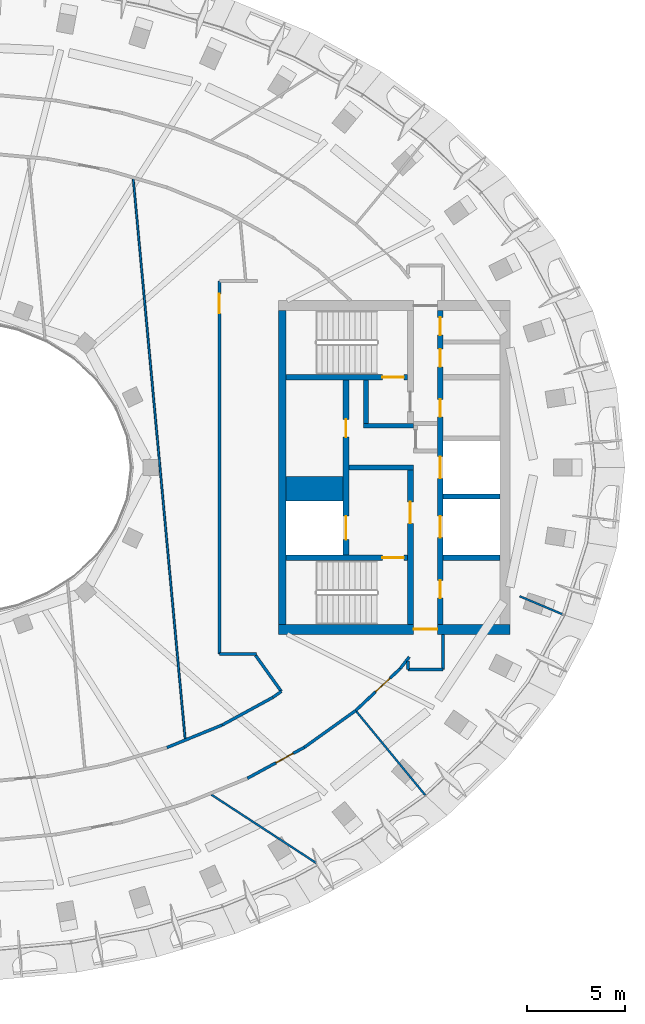
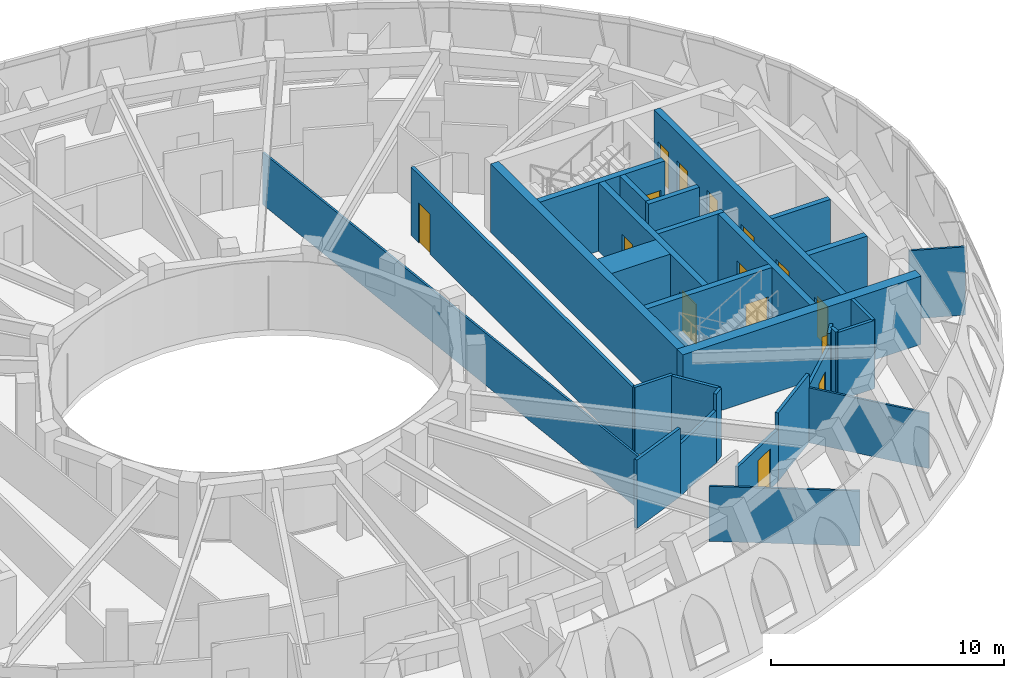
# One storey, part 5 of 14: 30 walls, 15 doors, 15 openings.
"""IFC4 building model written with IfcOpenShell, lengths in metres."""

from ifc_helpers import new_model, si_unit, direction, frame, frame_2d, origin, place, context, subcontext, project, spatial, rectangle, extrude, material, layer, layer_set, type_object, element, fill, save


model = new_model("IFC4")

# Units and contexts
model_context = context("Model", 3, precision=1e-05, world=origin(), true_north=direction((0.0, 1.0)))
body_context = subcontext(model_context, "Body", "Model", "MODEL_VIEW")
ifc_project = project(units=[si_unit("LENGTHUNIT", "METRE"), si_unit("AREAUNIT", "SQUARE_METRE"), si_unit("VOLUMEUNIT", "CUBIC_METRE"), si_unit("PLANEANGLEUNIT", "RADIAN"), si_unit("MASSUNIT", "GRAM", prefix="KILO")], contexts=[model_context])

# Site, building, storey
site_placement = place(None, origin())
site = spatial("IfcSite", under=ifc_project, at=site_placement, CompositionType="ELEMENT")
building_placement = place(site_placement, origin())
building = spatial("IfcBuilding", under=site, at=building_placement, Name="Noorbagh Ring Tower", CompositionType="ELEMENT")
storey_placement = place(building_placement, frame((0.0, 0.0, 343.0)))
storey = spatial("IfcBuildingStorey", under=building, at=storey_placement, Name="L75", CompositionType="ELEMENT", Elevation=343.0)

# Walls
ifc_material_1 = material(Name="Concrete C50/60", Category="concrete")
ifc_layer_1 = layer(ifc_material_1, 1.25)
ifc_layer_set_1 = layer_set([ifc_layer_1], Name="Concrete C50/60")
wall_type_1 = type_object("IfcWallType", Name="CORE-WALL-1250-C50-60-EI120", PredefinedType="SHEAR", material=ifc_layer_set_1)
wall_1_placement = place(storey_placement, frame((16.89990234375, -1.074951171875, 0.0), z_axis=(0.0, 0.0, 1.0), x_axis=(1.0, 0.0, 0.0)))
element("IfcWall", 1, at=wall_1_placement, inside=storey, type_object=wall_type_1, Name="Core wall E", PredefinedType="SHEAR", context=body_context, shape_type="SweptSolid", body=[
    extrude(rectangle(XDim=2.900146484375, YDim=1.25, at=frame_2d((1.4501953125, 0.0))), origin(), (0.0, 0.0, 1.0), 3.580078125),
])
ifc_material_2 = material(Name="Concrete C50/60", Category="concrete")
ifc_layer_2 = layer(ifc_material_2, 0.25)
ifc_layer_set_2 = layer_set([ifc_layer_2], Name="Concrete C50/60")
wall_type_2 = type_object("IfcWallType", Name="CORE-WALL-250-C50-60-EI120", PredefinedType="SHEAR", material=ifc_layer_set_2)
wall_2_placement = place(storey_placement, frame((24.89990234375, -1.47509765625, 0.0), z_axis=(0.0, 0.0, 1.0), x_axis=(1.0, 0.0, 0.0)))
element("IfcWall", 2, at=wall_2_placement, inside=storey, type_object=wall_type_2, Name="Core wall E", PredefinedType="SHEAR", context=body_context, shape_type="SweptSolid", body=[
    extrude(rectangle(XDim=2.900146484375, YDim=0.25, at=frame_2d((1.4501953125, 0.0))), origin(), (0.0, 0.0, 1.0), 3.580078125),
])
ifc_material_3 = material(Name="Concrete C50/60", Category="concrete")
ifc_layer_3 = layer(ifc_material_3, 0.25)
ifc_layer_set_3 = layer_set([ifc_layer_3], Name="Concrete C50/60")
wall_type_3 = type_object("IfcWallType", Name="CORE-WALL-250-C50-60-EI240", PredefinedType="SHEAR", material=ifc_layer_set_3)
wall_3_placement = place(storey_placement, frame((20.10009765625, 0.0, 0.0), z_axis=(0.0, 0.0, 1.0), x_axis=(1.0, 0.0, 0.0)))
element("IfcWall", 3, at=wall_3_placement, inside=storey, type_object=wall_type_3, Name="Core wall E", PredefinedType="SHEAR", context=body_context, shape_type="SweptSolid", body=[
    extrude(rectangle(XDim=3.27978515625, YDim=0.25, at=frame_2d((1.639892578125, 0.0))), origin(), (0.0, 0.0, 1.0), 3.580078125),
])
wall_4_placement = place(storey_placement, frame((20.85009765625, 2.125, 0.0), z_axis=(0.0, 0.0, 1.0), x_axis=(1.0, 0.0, 0.0)))
element("IfcWall", 4, at=wall_4_placement, inside=storey, type_object=wall_type_3, Name="Core wall E", PredefinedType="SHEAR", context=body_context, shape_type="SweptSolid", body=[
    extrude(rectangle(XDim=2.52978515625, YDim=0.25, at=frame_2d((1.264892578125, 0.0))), origin(), (0.0, 0.0, 1.0), 3.580078125),
])
wall_5_placement = place(storey_placement, frame((20.97509765625, 2.25, 0.0), z_axis=(0.0, 0.0, 1.0), x_axis=(0.0, 1.0, 0.0)))
element("IfcWall", 5, at=wall_5_placement, inside=storey, type_object=wall_type_3, Name="Core wall E", PredefinedType="SHEAR", context=body_context, shape_type="SweptSolid", body=[
    extrude(rectangle(XDim=2.199951171875, YDim=0.25, at=frame_2d((1.10009765625, 0.0))), origin(), (0.0, 0.0, 1.0), 3.580078125),
])

# Wall, openings, doors
ifc_material_4 = material(Name="Concrete C50/60", Category="concrete")
ifc_layer_4 = layer(ifc_material_4, 0.300048828125)
ifc_layer_set_4 = layer_set([ifc_layer_4], Name="Concrete C50/60")
wall_type_4 = type_object("IfcWallType", Name="CORE-WALL-300-C50-60-EI120", PredefinedType="SHEAR", material=ifc_layer_set_4)
wall_6_placement = place(storey_placement, frame((19.949951171875, -4.449951171875, 0.0), z_axis=(0.0, 0.0, 1.0), x_axis=(0.0, 1.0, 0.0)))
wall_6 = element("IfcWall", 6, at=wall_6_placement, inside=storey, type_object=wall_type_4, Name="Core wall E", PredefinedType="SHEAR", context=body_context, shape_type="SweptSolid", body=[
    extrude(rectangle(XDim=8.89990234375, YDim=0.300048828125, at=frame_2d((4.449951171875, 0.0))), origin(), (0.0, 0.0, 1.0), 3.580078125),
])
opening_1_placement = place(wall_6_placement, frame((0.77490234375, 0.0, 0.0)))
opening_1 = element("IfcOpeningElement", 7, at=opening_1_placement, cuts=wall_6, Name="Opening L75-CE01", PredefinedType="OPENING", context=body_context, shape_type="SweptSolid", body=[
    extrude(rectangle(XDim=1.199951171875, YDim=2.10009765625, at=frame_2d((0.60009765625, 1.050048828125))), frame((0.0, 0.16015625, 0.0), z_axis=(0.0, -1.0, 0.0), x_axis=(1.0, 0.0, 0.0)), (0.0, 0.0, 1.0), 0.320068359375),
])
opening_2_placement = place(wall_6_placement, frame((6.0, 0.0, 0.0)))
opening_2 = element("IfcOpeningElement", 8, at=opening_2_placement, cuts=wall_6, Name="Opening L75-CE10", PredefinedType="OPENING", context=body_context, shape_type="SweptSolid", body=[
    extrude(rectangle(XDim=0.89990234375, YDim=2.10009765625, at=frame_2d((0.449951171875, 1.050048828125))), frame((0.0, 0.16015625, 0.0), z_axis=(0.0, -1.0, 0.0), x_axis=(1.0, 0.0, 0.0)), (0.0, 0.0, 1.0), 0.320068359375),
])
ifc_material_5 = material(Name="Steel door leaf", Category="steel")
door_type_1 = type_object("IfcDoorType", Name="CORE-DOOR-DROOM", OperationType="SINGLE_SWING_LEFT", PredefinedType="DOOR", material=ifc_material_5)
door_1_placement = place(opening_2_placement, origin())
door_1 = element("IfcDoor", 9, at=door_1_placement, inside=storey, type_object=door_type_1, Name="Core room door L75-CE10", OperationType="SINGLE_SWING_RIGHT", OverallHeight=2.10009765625, OverallWidth=0.89990234375, PredefinedType="DOOR", context=body_context, shape_type="SweptSolid", body=[
    extrude(rectangle(XDim=0.89990234375, YDim=2.10009765625, at=frame_2d((0.449951171875, 1.050048828125))), frame((0.0, 0.02490234375, 0.0), z_axis=(0.0, -1.0, 0.0), x_axis=(1.0, 0.0, 0.0)), (0.0, 0.0, 1.0), 0.050048828125),
])
fill(opening_2, door_1)
ifc_material_6 = material(Name="Steel door leaf", Category="steel")
door_type_2 = type_object("IfcDoorType", Name="CORE-DOOR-LDW", OperationType="DOUBLE_DOOR_SLIDING", PredefinedType="DOOR", material=ifc_material_6)
door_2_placement = place(opening_1_placement, origin())
door_2 = element("IfcDoor", 10, at=door_2_placement, inside=storey, type_object=door_type_2, Name="Landing door FF2 L75-CE01", OperationType="DOUBLE_DOOR_SLIDING", OverallHeight=2.10009765625, OverallWidth=1.199951171875, PredefinedType="DOOR", context=body_context, shape_type="SweptSolid", body=[
    extrude(rectangle(XDim=1.199951171875, YDim=2.10009765625, at=frame_2d((0.60009765625, 1.050048828125))), frame((0.0, 0.02490234375, 0.0), z_axis=(0.0, -1.0, 0.0), x_axis=(1.0, 0.0, 0.0)), (0.0, 0.0, 1.0), 0.050048828125),
])
fill(opening_1, door_2)

wall_7_placement = place(storey_placement, frame((24.75, -8.0, 0.0), z_axis=(0.0, 0.0, 1.0), x_axis=(0.0, 1.0, 0.0)))
wall_7 = element("IfcWall", 11, at=wall_7_placement, inside=storey, type_object=wall_type_4, Name="Core wall E", PredefinedType="SHEAR", context=body_context, shape_type="SweptSolid", body=[
    extrude(rectangle(XDim=16.0, YDim=0.300048828125, at=frame_2d((8.0, 0.0))), origin(), (0.0, 0.0, 1.0), 3.580078125),
])
opening_3_placement = place(wall_7_placement, frame((4.425048828125, 0.0, 0.0)))
opening_3 = element("IfcOpeningElement", 12, at=opening_3_placement, cuts=wall_7, Name="Opening L75-CE02", PredefinedType="OPENING", context=body_context, shape_type="SweptSolid", body=[
    extrude(rectangle(XDim=1.10009765625, YDim=2.10009765625, at=frame_2d((0.550048828125, 1.050048828125))), frame((0.0, 0.16015625, 0.0), z_axis=(0.0, -1.0, 0.0), x_axis=(1.0, 0.0, 0.0)), (0.0, 0.0, 1.0), 0.320068359375),
])
opening_4_placement = place(wall_7_placement, frame((7.449951171875, 0.0, 0.0)))
opening_4 = element("IfcOpeningElement", 13, at=opening_4_placement, cuts=wall_7, Name="Opening L75-CE03", PredefinedType="OPENING", context=body_context, shape_type="SweptSolid", body=[
    extrude(rectangle(XDim=1.10009765625, YDim=2.10009765625, at=frame_2d((0.550048828125, 1.050048828125))), frame((0.0, 0.16015625, 0.0), z_axis=(0.0, -1.0, 0.0), x_axis=(1.0, 0.0, 0.0)), (0.0, 0.0, 1.0), 0.320068359375),
])
opening_5_placement = place(wall_7_placement, frame((10.574951171875, 0.0, 0.0)))
opening_5 = element("IfcOpeningElement", 14, at=opening_5_placement, cuts=wall_7, Name="Opening L75-CE11", PredefinedType="OPENING", context=body_context, shape_type="SweptSolid", body=[
    extrude(rectangle(XDim=0.89990234375, YDim=2.10009765625, at=frame_2d((0.449951171875, 1.050048828125))), frame((0.0, 0.16015625, 0.0), z_axis=(0.0, -1.0, 0.0), x_axis=(1.0, 0.0, 0.0)), (0.0, 0.0, 1.0), 0.320068359375),
])
opening_6_placement = place(wall_7_placement, frame((13.125, 0.0, 0.0)))
opening_6 = element("IfcOpeningElement", 15, at=opening_6_placement, cuts=wall_7, Name="Opening L75-CE12", PredefinedType="OPENING", context=body_context, shape_type="SweptSolid", body=[
    extrude(rectangle(XDim=0.89990234375, YDim=2.10009765625, at=frame_2d((0.449951171875, 1.050048828125))), frame((0.0, 0.16015625, 0.0), z_axis=(0.0, -1.0, 0.0), x_axis=(1.0, 0.0, 0.0)), (0.0, 0.0, 1.0), 0.320068359375),
])
opening_7_placement = place(wall_7_placement, frame((14.75, 0.0, 0.0)))
opening_7 = element("IfcOpeningElement", 16, at=opening_7_placement, cuts=wall_7, Name="Opening L75-CE13", PredefinedType="OPENING", context=body_context, shape_type="SweptSolid", body=[
    extrude(rectangle(XDim=0.89990234375, YDim=2.10009765625, at=frame_2d((0.449951171875, 1.050048828125))), frame((0.0, 0.16015625, 0.0), z_axis=(0.0, -1.0, 0.0), x_axis=(1.0, 0.0, 0.0)), (0.0, 0.0, 1.0), 0.320068359375),
])
opening_8_placement = place(wall_7_placement, frame((1.35009765625, 0.0, 0.0)))
opening_8 = element("IfcOpeningElement", 17, at=opening_8_placement, cuts=wall_7, Name="Opening L75-CE14", PredefinedType="OPENING", context=body_context, shape_type="SweptSolid", body=[
    extrude(rectangle(XDim=0.89990234375, YDim=2.10009765625, at=frame_2d((0.449951171875, 1.050048828125))), frame((0.0, 0.16015625, 0.0), z_axis=(0.0, -1.0, 0.0), x_axis=(1.0, 0.0, 0.0)), (0.0, 0.0, 1.0), 0.320068359375),
])
door_3_placement = place(opening_5_placement, origin())
door_3 = element("IfcDoor", 18, at=door_3_placement, inside=storey, type_object=door_type_1, Name="Core room door L75-CE11", OperationType="SINGLE_SWING_LEFT", OverallHeight=2.10009765625, OverallWidth=0.89990234375, PredefinedType="DOOR", context=body_context, shape_type="SweptSolid", body=[
    extrude(rectangle(XDim=0.89990234375, YDim=2.10009765625, at=frame_2d((0.449951171875, 1.050048828125))), frame((0.0, 0.02490234375, 0.0), z_axis=(0.0, -1.0, 0.0), x_axis=(1.0, 0.0, 0.0)), (0.0, 0.0, 1.0), 0.050048828125),
])
fill(opening_5, door_3)
door_4_placement = place(opening_6_placement, origin())
door_4 = element("IfcDoor", 19, at=door_4_placement, inside=storey, type_object=door_type_1, Name="Core room door L75-CE12", OperationType="SINGLE_SWING_RIGHT", OverallHeight=2.10009765625, OverallWidth=0.89990234375, PredefinedType="DOOR", context=body_context, shape_type="SweptSolid", body=[
    extrude(rectangle(XDim=0.89990234375, YDim=2.10009765625, at=frame_2d((0.449951171875, 1.050048828125))), frame((0.0, 0.02490234375, 0.0), z_axis=(0.0, -1.0, 0.0), x_axis=(1.0, 0.0, 0.0)), (0.0, 0.0, 1.0), 0.050048828125),
])
fill(opening_6, door_4)
door_5_placement = place(opening_7_placement, origin())
door_5 = element("IfcDoor", 20, at=door_5_placement, inside=storey, type_object=door_type_1, Name="Core room door L75-CE13", OperationType="SINGLE_SWING_LEFT", OverallHeight=2.10009765625, OverallWidth=0.89990234375, PredefinedType="DOOR", context=body_context, shape_type="SweptSolid", body=[
    extrude(rectangle(XDim=0.89990234375, YDim=2.10009765625, at=frame_2d((0.449951171875, 1.050048828125))), frame((0.0, 0.02490234375, 0.0), z_axis=(0.0, -1.0, 0.0), x_axis=(1.0, 0.0, 0.0)), (0.0, 0.0, 1.0), 0.050048828125),
])
fill(opening_7, door_5)
door_6_placement = place(opening_8_placement, origin())
door_6 = element("IfcDoor", 21, at=door_6_placement, inside=storey, type_object=door_type_1, Name="Core room door L75-CE14", OperationType="SINGLE_SWING_RIGHT", OverallHeight=2.10009765625, OverallWidth=0.89990234375, PredefinedType="DOOR", context=body_context, shape_type="SweptSolid", body=[
    extrude(rectangle(XDim=0.89990234375, YDim=2.10009765625, at=frame_2d((0.449951171875, 1.050048828125))), frame((0.0, 0.02490234375, 0.0), z_axis=(0.0, -1.0, 0.0), x_axis=(1.0, 0.0, 0.0)), (0.0, 0.0, 1.0), 0.050048828125),
])
fill(opening_8, door_6)
ifc_material_7 = material(Name="Steel door leaf", Category="steel")
door_type_3 = type_object("IfcDoorType", Name="CORE-DOOR-LD", OperationType="DOUBLE_DOOR_SLIDING", PredefinedType="DOOR", material=ifc_material_7)
door_7_placement = place(opening_3_placement, origin())
door_7 = element("IfcDoor", 22, at=door_7_placement, inside=storey, type_object=door_type_3, Name="Landing door HR12 L75-CE02", OperationType="DOUBLE_DOOR_SLIDING", OverallHeight=2.10009765625, OverallWidth=1.10009765625, PredefinedType="DOOR", context=body_context, shape_type="SweptSolid", body=[
    extrude(rectangle(XDim=1.10009765625, YDim=2.10009765625, at=frame_2d((0.550048828125, 1.050048828125))), frame((0.0, 0.02490234375, 0.0), z_axis=(0.0, -1.0, 0.0), x_axis=(1.0, 0.0, 0.0)), (0.0, 0.0, 1.0), 0.050048828125),
])
fill(opening_3, door_7)
door_8_placement = place(opening_4_placement, origin())
door_8 = element("IfcDoor", 23, at=door_8_placement, inside=storey, type_object=door_type_3, Name="Landing door HR13 L75-CE03", OperationType="DOUBLE_DOOR_SLIDING", OverallHeight=2.10009765625, OverallWidth=1.10009765625, PredefinedType="DOOR", context=body_context, shape_type="SweptSolid", body=[
    extrude(rectangle(XDim=1.10009765625, YDim=2.10009765625, at=frame_2d((0.550048828125, 1.050048828125))), frame((0.0, 0.02490234375, 0.0), z_axis=(0.0, -1.0, 0.0), x_axis=(1.0, 0.0, 0.0)), (0.0, 0.0, 1.0), 0.050048828125),
])
fill(opening_4, door_8)

# Wall
ifc_material_8 = material(Name="Concrete C50/60", Category="concrete")
ifc_layer_5 = layer(ifc_material_8, 0.300048828125)
ifc_layer_set_5 = layer_set([ifc_layer_5], Name="Concrete C50/60")
wall_type_5 = type_object("IfcWallType", Name="CORE-WALL-300-C50-60-EI240", PredefinedType="SHEAR", material=ifc_layer_set_5)
wall_8_placement = place(storey_placement, frame((24.89990234375, -4.60009765625, 0.0), z_axis=(0.0, 0.0, 1.0), x_axis=(1.0, 0.0, 0.0)))
element("IfcWall", 24, at=wall_8_placement, inside=storey, type_object=wall_type_5, Name="Core wall E", PredefinedType="SHEAR", context=body_context, shape_type="SweptSolid", body=[
    extrude(rectangle(XDim=2.900146484375, YDim=0.300048828125, at=frame_2d((1.4501953125, 0.0))), origin(), (0.0, 0.0, 1.0), 3.580078125),
])

# Wall, opening, door
wall_9_placement = place(storey_placement, frame((23.22998046875, -8.0, 0.0), z_axis=(0.0, 0.0, 1.0), x_axis=(0.0, 1.0, 0.0)))
wall_9 = element("IfcWall", 25, at=wall_9_placement, inside=storey, type_object=wall_type_5, Name="Core wall E", PredefinedType="SHEAR", context=body_context, shape_type="SweptSolid", body=[
    extrude(rectangle(XDim=7.875, YDim=0.300048828125, at=frame_2d((3.9375, 0.0))), origin(), (0.0, 0.0, 1.0), 3.580078125),
])
opening_9_placement = place(wall_9_placement, frame((5.14990234375, 0.0, 0.0)))
opening_9 = element("IfcOpeningElement", 26, at=opening_9_placement, cuts=wall_9, Name="Opening L75-CE06", PredefinedType="OPENING", context=body_context, shape_type="SweptSolid", body=[
    extrude(rectangle(XDim=1.10009765625, YDim=2.10009765625, at=frame_2d((0.550048828125, 1.050048828125))), frame((0.0, 0.16015625, 0.0), z_axis=(0.0, -1.0, 0.0), x_axis=(1.0, 0.0, 0.0)), (0.0, 0.0, 1.0), 0.320068359375),
])
ifc_material_9 = material(Name="Steel door leaf", Category="steel")
door_type_4 = type_object("IfcDoorType", Name="CORE-DOOR-DFF", OperationType="SINGLE_SWING_LEFT", PredefinedType="DOOR", material=ifc_material_9)
door_9_placement = place(opening_9_placement, origin())
door_9 = element("IfcDoor", 27, at=door_9_placement, inside=storey, type_object=door_type_4, Name="Firefighting lobby door L75-CE06", OperationType="SINGLE_SWING_RIGHT", OverallHeight=2.10009765625, OverallWidth=1.10009765625, PredefinedType="DOOR", context=body_context, shape_type="SweptSolid", body=[
    extrude(rectangle(XDim=1.10009765625, YDim=2.10009765625, at=frame_2d((0.550048828125, 1.050048828125))), frame((0.0, 0.02490234375, 0.0), z_axis=(0.0, -1.0, 0.0), x_axis=(1.0, 0.0, 0.0)), (0.0, 0.0, 1.0), 0.050048828125),
])
fill(opening_9, door_9)

wall_10_placement = place(storey_placement, frame((16.89990234375, 4.60009765625, 0.0), z_axis=(0.0, 0.0, 1.0), x_axis=(1.0, 0.0, 0.0)))
wall_10 = element("IfcWall", 28, at=wall_10_placement, inside=storey, type_object=wall_type_5, Name="Core wall E", PredefinedType="SHEAR", context=body_context, shape_type="SweptSolid", body=[
    extrude(rectangle(XDim=6.18017578125, YDim=0.300048828125, at=frame_2d((3.090087890625, 0.0))), origin(), (0.0, 0.0, 1.0), 3.580078125),
])
opening_10_placement = place(wall_10_placement, frame((4.89990234375, 0.0, 0.0)))
opening_10 = element("IfcOpeningElement", 29, at=opening_10_placement, cuts=wall_10, Name="Opening L75-CE04", PredefinedType="OPENING", context=body_context, shape_type="SweptSolid", body=[
    extrude(rectangle(XDim=1.10009765625, YDim=2.10009765625, at=frame_2d((0.550048828125, 1.050048828125))), frame((0.0, 0.16015625, 0.0), z_axis=(0.0, -1.0, 0.0), x_axis=(1.0, 0.0, 0.0)), (0.0, 0.0, 1.0), 0.320068359375),
])
ifc_material_10 = material(Name="Steel door leaf", Category="steel")
door_type_5 = type_object("IfcDoorType", Name="CORE-DOOR-DSTAIR", OperationType="SINGLE_SWING_LEFT", PredefinedType="DOOR", material=ifc_material_10)
door_10_placement = place(opening_10_placement, origin())
door_10 = element("IfcDoor", 30, at=door_10_placement, inside=storey, type_object=door_type_5, Name="Stair door ST3 L75-CE04", OperationType="SINGLE_SWING_LEFT", OverallHeight=2.10009765625, OverallWidth=1.10009765625, PredefinedType="DOOR", context=body_context, shape_type="SweptSolid", body=[
    extrude(rectangle(XDim=1.10009765625, YDim=2.10009765625, at=frame_2d((0.550048828125, 1.050048828125))), frame((0.0, 0.02490234375, 0.0), z_axis=(0.0, -1.0, 0.0), x_axis=(1.0, 0.0, 0.0)), (0.0, 0.0, 1.0), 0.050048828125),
])
fill(opening_10, door_10)

wall_11_placement = place(storey_placement, frame((16.89990234375, -4.60009765625, 0.0), z_axis=(0.0, 0.0, 1.0), x_axis=(1.0, 0.0, 0.0)))
wall_11 = element("IfcWall", 31, at=wall_11_placement, inside=storey, type_object=wall_type_5, Name="Core wall E", PredefinedType="SHEAR", context=body_context, shape_type="SweptSolid", body=[
    extrude(rectangle(XDim=6.18017578125, YDim=0.300048828125, at=frame_2d((3.090087890625, 0.0))), origin(), (0.0, 0.0, 1.0), 3.580078125),
])
opening_11_placement = place(wall_11_placement, frame((4.89990234375, 0.0, 0.0)))
opening_11 = element("IfcOpeningElement", 32, at=opening_11_placement, cuts=wall_11, Name="Opening L75-CE05", PredefinedType="OPENING", context=body_context, shape_type="SweptSolid", body=[
    extrude(rectangle(XDim=1.10009765625, YDim=2.10009765625, at=frame_2d((0.550048828125, 1.050048828125))), frame((0.0, 0.16015625, 0.0), z_axis=(0.0, -1.0, 0.0), x_axis=(1.0, 0.0, 0.0)), (0.0, 0.0, 1.0), 0.320068359375),
])
door_11_placement = place(opening_11_placement, origin())
door_11 = element("IfcDoor", 33, at=door_11_placement, inside=storey, type_object=door_type_5, Name="Stair door ST4 L75-CE05", OperationType="SINGLE_SWING_RIGHT", OverallHeight=2.10009765625, OverallWidth=1.10009765625, PredefinedType="DOOR", context=body_context, shape_type="SweptSolid", body=[
    extrude(rectangle(XDim=1.10009765625, YDim=2.10009765625, at=frame_2d((0.550048828125, 1.050048828125))), frame((0.0, 0.02490234375, 0.0), z_axis=(0.0, -1.0, 0.0), x_axis=(1.0, 0.0, 0.0)), (0.0, 0.0, 1.0), 0.050048828125),
])
fill(opening_11, door_11)

# Wall
ifc_material_11 = material(Name="Concrete C50/60", Category="concrete")
ifc_layer_6 = layer(ifc_material_11, 0.39990234375)
ifc_layer_set_6 = layer_set([ifc_layer_6], Name="Concrete C50/60")
wall_type_6 = type_object("IfcWallType", Name="CORE-WALL-400-C50-60-EI240", PredefinedType="SHEAR", material=ifc_layer_set_6)
wall_12_placement = place(storey_placement, frame((16.699951171875, -8.0, 0.0), z_axis=(0.0, 0.0, 1.0), x_axis=(0.0, 1.0, 0.0)))
element("IfcWall", 34, at=wall_12_placement, inside=storey, type_object=wall_type_6, Name="Core wall E", PredefinedType="SHEAR", context=body_context, shape_type="SweptSolid", body=[
    extrude(rectangle(XDim=16.0, YDim=0.39990234375, at=frame_2d((8.0, 0.0))), origin(), (0.0, 0.0, 1.0), 3.580078125),
])

# Wall, opening, door
ifc_material_12 = material(Name="Concrete C50/60", Category="concrete")
ifc_layer_7 = layer(ifc_material_12, 0.5)
ifc_layer_set_7 = layer_set([ifc_layer_7], Name="Concrete C50/60")
wall_type_7 = type_object("IfcWallType", Name="CORE-WALL-500-C50-60-EI240", PredefinedType="SHEAR", material=ifc_layer_set_7)
wall_13_placement = place(storey_placement, frame((16.5, -8.25, 0.0), z_axis=(0.0, 0.0, 1.0), x_axis=(1.0, 0.0, 0.0)))
wall_13 = element("IfcWall", 35, at=wall_13_placement, inside=storey, type_object=wall_type_7, Name="Core wall E", PredefinedType="SHEAR", context=body_context, shape_type="SweptSolid", body=[
    extrude(rectangle(XDim=11.800048828125, YDim=0.5, at=frame_2d((5.89990234375, 0.0))), origin(), (0.0, 0.0, 1.0), 3.580078125),
])
opening_12_placement = place(wall_13_placement, frame((6.89990234375, 0.0, 0.0)))
opening_12 = element("IfcOpeningElement", 36, at=opening_12_placement, cuts=wall_13, Name="Opening L75-CE09", PredefinedType="OPENING", context=body_context, shape_type="SweptSolid", body=[
    extrude(rectangle(XDim=1.199951171875, YDim=2.10009765625, at=frame_2d((0.60009765625, 1.050048828125))), frame((0.0, 0.260009765625, 0.0), z_axis=(0.0, -1.0, 0.0), x_axis=(1.0, 0.0, 0.0)), (0.0, 0.0, 1.0), 0.52001953125),
])
ifc_material_13 = material(Name="Steel door leaf", Category="steel")
door_type_6 = type_object("IfcDoorType", Name="CORE-DOOR-PORT", OperationType="DOUBLE_DOOR_DOUBLE_SWING", PredefinedType="DOOR", material=ifc_material_13)
door_12_placement = place(opening_12_placement, origin())
door_12 = element("IfcDoor", 37, at=door_12_placement, inside=storey, type_object=door_type_6, Name="Core entrance door L75-CE09", OperationType="DOUBLE_DOOR_DOUBLE_SWING", OverallHeight=2.10009765625, OverallWidth=1.199951171875, PredefinedType="DOOR", context=body_context, shape_type="SweptSolid", body=[
    extrude(rectangle(XDim=1.199951171875, YDim=2.10009765625, at=frame_2d((0.60009765625, 1.050048828125))), frame((0.0, 0.02490234375, 0.0), z_axis=(0.0, -1.0, 0.0), x_axis=(1.0, 0.0, 0.0)), (0.0, 0.0, 1.0), 0.050048828125),
])
fill(opening_12, door_12)

# Wall
ifc_material_14 = material(Name="Gypsum board on steel studs", Category="steel")
ifc_layer_8 = layer(ifc_material_14, 0.14990234375)
ifc_layer_set_8 = layer_set([ifc_layer_8], Name="Gypsum board on steel studs")
wall_type_8 = type_object("IfcWallType", Name="CORRIDOR PARTITION 150 EI 30", PredefinedType="PARTITIONING", material=ifc_layer_set_8)
wall_14_placement = place(storey_placement, frame((10.8291015625, -14.26708984375, 0.0), z_axis=(0.0, 0.0, 1.0), x_axis=(0.925843627356, 0.377906837307, 0.0)))
element("IfcWall", 38, at=wall_14_placement, inside=storey, type_object=wall_type_8, Name="L75/wall/P81", PredefinedType="PARTITIONING", context=body_context, shape_type="SweptSolid", body=[
    extrude(rectangle(XDim=3.038330078125, YDim=0.14990234375, at=frame_2d((1.51904296875, 0.0))), origin(), (0.0, 0.0, 1.0), 3.580078125),
])

# Wall, opening, door
wall_15_placement = place(storey_placement, frame((13.5, -9.5, 0.0), z_axis=(0.0, 0.0, 1.0), x_axis=(0.0, 1.0, 0.0)))
wall_15 = element("IfcWall", 39, at=wall_15_placement, inside=storey, type_object=wall_type_8, Name="L75/wall/P87", PredefinedType="PARTITIONING", context=body_context, shape_type="SweptSolid", body=[
    extrude(rectangle(XDim=19.0, YDim=0.14990234375, at=frame_2d((9.5, 0.0))), origin(), (0.0, 0.0, 1.0), 3.580078125),
])
opening_13_placement = place(wall_15_placement, frame((17.35009765625, 0.0, 0.0)))
opening_13 = element("IfcOpeningElement", 40, at=opening_13_placement, cuts=wall_15, Name="Opening D1", PredefinedType="OPENING", context=body_context, shape_type="SweptSolid", body=[
    extrude(rectangle(XDim=1.0, YDim=2.10009765625, at=frame_2d((0.5, 1.050048828125))), frame((0.0, 0.0849609375, 0.0), z_axis=(0.0, -1.0, 0.0), x_axis=(1.0, 0.0, 0.0)), (0.0, 0.0, 1.0), 0.169921875),
])
ifc_material_15 = material(Name="Timber, painted", Category="wood")
door_type_7 = type_object("IfcDoorType", Name="DOOR 1000 X 2100 FD30", OperationType="SINGLE_SWING_LEFT", PredefinedType="DOOR", material=ifc_material_15)
door_13_placement = place(opening_13_placement, origin())
door_13 = element("IfcDoor", 41, at=door_13_placement, inside=storey, type_object=door_type_7, Name="L75-D23", OperationType="SINGLE_SWING_LEFT", OverallHeight=2.10009765625, OverallWidth=1.0, PredefinedType="DOOR", context=body_context, shape_type="SweptSolid", body=[
    extrude(rectangle(XDim=1.0, YDim=2.10009765625, at=frame_2d((0.5, 1.050048828125))), frame((0.0, 0.02490234375, 0.0), z_axis=(0.0, -1.0, 0.0), x_axis=(1.0, 0.0, 0.0)), (0.0, 0.0, 1.0), 0.050048828125),
])
fill(opening_13, door_13)

# Walls
wall_16_placement = place(storey_placement, frame((13.5, -9.5, 0.0), z_axis=(0.0, 0.0, 1.0), x_axis=(1.0, 0.0, 0.0)))
element("IfcWall", 42, at=wall_16_placement, inside=storey, type_object=wall_type_8, Name="L75/wall/P88", PredefinedType="PARTITIONING", context=body_context, shape_type="SweptSolid", body=[
    extrude(rectangle(XDim=1.883056640625, YDim=0.14990234375, at=frame_2d((0.94140625, 0.0))), origin(), (0.0, 0.0, 1.0), 3.580078125),
])
wall_17_placement = place(storey_placement, frame((13.64208984375, -13.118896484375, 0.0), z_axis=(0.0, 0.0, 1.0), x_axis=(0.878132912292, 0.478416751744, 0.0)))
element("IfcWall", 43, at=wall_17_placement, inside=storey, type_object=wall_type_8, Name="L75/wall/P90", PredefinedType="PARTITIONING", context=body_context, shape_type="SweptSolid", body=[
    extrude(rectangle(XDim=2.947021484375, YDim=0.14990234375, at=frame_2d((1.4736328125, 0.0))), origin(), (0.0, 0.0, 1.0), 2.72998046875),
])

# Wall, opening, door
wall_18_placement = place(storey_placement, frame((14.929931640625, -15.8330078125, 0.0), z_axis=(0.0, 0.0, 1.0), x_axis=(0.878243368634, 0.478213953634, 0.0)))
wall_18 = element("IfcWall", 44, at=wall_18_placement, inside=storey, type_object=wall_type_8, Name="L75/wall/P94", PredefinedType="PARTITIONING", context=body_context, shape_type="SweptSolid", body=[
    extrude(rectangle(XDim=3.297607421875, YDim=0.14990234375, at=frame_2d((1.64892578125, 0.0))), origin(), (0.0, 0.0, 1.0), 2.72998046875),
])
opening_14_placement = place(wall_18_placement, frame((1.64990234375, 0.0, 0.0)))
opening_14 = element("IfcOpeningElement", 45, at=opening_14_placement, cuts=wall_18, Name="Opening D1", PredefinedType="OPENING", context=body_context, shape_type="SweptSolid", body=[
    extrude(rectangle(XDim=1.0, YDim=2.10009765625, at=frame_2d((0.5, 1.050048828125))), frame((0.0, 0.0849609375, 0.0), z_axis=(0.0, -1.0, 0.0), x_axis=(1.0, 0.0, 0.0)), (0.0, 0.0, 1.0), 0.169921875),
])
door_14_placement = place(opening_14_placement, origin())
door_14 = element("IfcDoor", 46, at=door_14_placement, inside=storey, type_object=door_type_7, Name="L75-D12", OperationType="SINGLE_SWING_RIGHT", OverallHeight=2.10009765625, OverallWidth=1.0, PredefinedType="DOOR", context=body_context, shape_type="SweptSolid", body=[
    extrude(rectangle(XDim=1.0, YDim=2.10009765625, at=frame_2d((0.5, 1.050048828125))), frame((0.0, 0.02490234375, 0.0), z_axis=(0.0, -1.0, 0.0), x_axis=(1.0, 0.0, 0.0)), (0.0, 0.0, 1.0), 0.050048828125),
])
fill(opening_14, door_14)

# Walls
wall_19_placement = place(storey_placement, frame((15.344970703125, -9.574951171875, 0.0), z_axis=(0.0, 0.0, 1.0), x_axis=(0.581586985794, -0.813484221085, 0.0)))
element("IfcWall", 47, at=wall_19_placement, inside=storey, type_object=wall_type_8, Name="L75/wall/P96", PredefinedType="PARTITIONING", context=body_context, shape_type="SweptSolid", body=[
    extrude(rectangle(XDim=2.2509765625, YDim=0.14990234375, at=frame_2d((1.12548828125, 0.0))), origin(), (0.0, 0.0, 1.0), 3.580078125),
])
wall_20_placement = place(storey_placement, frame((16.22998046875, -11.708984375, 0.0), z_axis=(0.0, 0.0, 1.0), x_axis=(0.813670164465, 0.581326812954, 0.0)))
element("IfcWall", 48, at=wall_20_placement, inside=storey, type_object=wall_type_8, Name="L75/wall/P97", PredefinedType="PARTITIONING", context=body_context, shape_type="SweptSolid", body=[
    extrude(rectangle(XDim=0.521240234375, YDim=0.14990234375, at=frame_2d((0.2607421875, 0.0))), origin(), (0.0, 0.0, 1.0), 3.580078125),
])
wall_21_placement = place(storey_placement, frame((17.825927734375, -14.256103515625, 0.0), z_axis=(0.0, 0.0, 1.0), x_axis=(0.813358889148, 0.58176225165, 0.0)))
element("IfcWall", 49, at=wall_21_placement, inside=storey, type_object=wall_type_8, Name="L75/wall/P99", PredefinedType="PARTITIONING", context=body_context, shape_type="SweptSolid", body=[
    extrude(rectangle(XDim=3.21630859375, YDim=0.14990234375, at=frame_2d((1.608154296875, 0.0))), origin(), (0.0, 0.0, 1.0), 3.580078125),
])

# Wall, opening, door
wall_22_placement = place(storey_placement, frame((20.44189453125, -12.385009765625, 0.0), z_axis=(0.0, 0.0, 1.0), x_axis=(0.727525716883, 0.686080411668, 0.0)))
wall_22 = element("IfcWall", 50, at=wall_22_placement, inside=storey, type_object=wall_type_8, Name="L75/wall/P102", PredefinedType="PARTITIONING", context=body_context, shape_type="SweptSolid", body=[
    extrude(rectangle(XDim=3.1162109375, YDim=0.14990234375, at=frame_2d((1.55810546875, 0.0))), origin(), (0.0, 0.0, 1.0), 2.97998046875),
])
opening_15_placement = place(wall_22_placement, frame((1.39990234375, 0.0, 0.0)))
opening_15 = element("IfcOpeningElement", 51, at=opening_15_placement, cuts=wall_22, Name="Opening D1", PredefinedType="OPENING", context=body_context, shape_type="SweptSolid", body=[
    extrude(rectangle(XDim=1.0, YDim=2.10009765625, at=frame_2d((0.5, 1.050048828125))), frame((0.0, 0.0849609375, 0.0), z_axis=(0.0, -1.0, 0.0), x_axis=(1.0, 0.0, 0.0)), (0.0, 0.0, 1.0), 0.169921875),
])
door_15_placement = place(opening_15_placement, origin())
door_15 = element("IfcDoor", 52, at=door_15_placement, inside=storey, type_object=door_type_7, Name="L75-D14", OperationType="SINGLE_SWING_RIGHT", OverallHeight=2.10009765625, OverallWidth=1.0, PredefinedType="DOOR", context=body_context, shape_type="SweptSolid", body=[
    extrude(rectangle(XDim=1.0, YDim=2.10009765625, at=frame_2d((0.5, 1.050048828125))), frame((0.0, 0.02490234375, 0.0), z_axis=(0.0, -1.0, 0.0), x_axis=(1.0, 0.0, 0.0)), (0.0, 0.0, 1.0), 0.050048828125),
])
fill(opening_15, door_15)

# Walls
wall_23_placement = place(storey_placement, frame((22.708984375, -10.2470703125, 0.0), z_axis=(0.0, 0.0, 1.0), x_axis=(0.615256200226, 0.788327221453, 0.0)))
element("IfcWall", 53, at=wall_23_placement, inside=storey, type_object=wall_type_8, Name="L75/wall/P106", PredefinedType="PARTITIONING", context=body_context, shape_type="SweptSolid", body=[
    extrude(rectangle(XDim=0.757568359375, YDim=0.14990234375, at=frame_2d((0.37890625, 0.0))), origin(), (0.0, 0.0, 1.0), 3.580078125),
])
wall_24_placement = place(storey_placement, frame((23.10009765625, -10.300048828125, 0.0), z_axis=(0.0, 0.0, 1.0), x_axis=(0.0, 1.0, 0.0)))
element("IfcWall", 54, at=wall_24_placement, inside=storey, type_object=wall_type_8, Name="L75/wall/P108", PredefinedType="PARTITIONING", context=body_context, shape_type="SweptSolid", body=[
    extrude(rectangle(XDim=0.43212890625, YDim=0.14990234375, at=frame_2d((0.216064453125, 0.0))), origin(), (0.0, 0.0, 1.0), 3.580078125),
])
wall_25_placement = place(storey_placement, frame((23.10009765625, -10.300048828125, 0.0), z_axis=(0.0, 0.0, 1.0), x_axis=(1.0, 0.0, 0.0)))
element("IfcWall", 55, at=wall_25_placement, inside=storey, type_object=wall_type_8, Name="L75/wall/P109", PredefinedType="PARTITIONING", context=body_context, shape_type="SweptSolid", body=[
    extrude(rectangle(XDim=1.7998046875, YDim=0.14990234375, at=frame_2d((0.89990234375, 0.0))), origin(), (0.0, 0.0, 1.0), 3.580078125),
])
wall_26_placement = place(storey_placement, frame((24.89990234375, -10.300048828125, 0.0), z_axis=(0.0, 0.0, 1.0), x_axis=(0.0, 1.0, 0.0)))
element("IfcWall", 56, at=wall_26_placement, inside=storey, type_object=wall_type_8, Name="L75/wall/P112", PredefinedType="PARTITIONING", context=body_context, shape_type="SweptSolid", body=[
    extrude(rectangle(XDim=1.800048828125, YDim=0.14990234375, at=frame_2d((0.89990234375, 0.0))), origin(), (0.0, 0.0, 1.0), 3.580078125),
])
ifc_material_16 = material(Name="Gypsum board on steel studs", Category="steel")
ifc_layer_9 = layer(ifc_material_16, 0.10009765625)
ifc_layer_set_9 = layer_set([ifc_layer_9], Name="Gypsum board on steel studs")
wall_type_9 = type_object("IfcWallType", Name="PARTITION 100 GYPSUM", PredefinedType="PARTITIONING", material=ifc_layer_set_9)
wall_27_placement = place(storey_placement, frame((9.113037109375, 14.68701171875, 0.0), z_axis=(0.0, 0.0, 1.0), x_axis=(0.092279348607, -0.99573315794, 0.0)))
element("IfcWall", 57, at=wall_27_placement, inside=storey, type_object=wall_type_9, Name="L75/wall/P80", PredefinedType="PARTITIONING", context=body_context, shape_type="SweptSolid", body=[
    extrude(rectangle(XDim=28.6181640625, YDim=0.10009765625, at=frame_2d((14.30908203125, 0.0))), origin(), (0.0, 0.0, 1.0), 2.72998046875),
])
wall_28_placement = place(storey_placement, frame((13.092041015625, -16.66796875, 0.0), z_axis=(0.0, 0.0, 1.0), x_axis=(0.837714965693, -0.546107714883, 0.0)))
element("IfcWall", 58, at=wall_28_placement, inside=storey, type_object=wall_type_9, Name="L75/wall/P85", PredefinedType="PARTITIONING", context=body_context, shape_type="SweptSolid", body=[
    extrude(rectangle(XDim=6.467529296875, YDim=0.10009765625, at=frame_2d((3.23388671875, 0.0))), origin(), (0.0, 0.0, 1.0), 2.8798828125),
])
wall_29_placement = place(storey_placement, frame((20.445068359375, -12.387939453125, 0.0), z_axis=(0.0, 0.0, 1.0), x_axis=(0.635342356641, -0.772230593708, 0.0)))
element("IfcWall", 59, at=wall_29_placement, inside=storey, type_object=wall_type_9, Name="L75/wall/P104", PredefinedType="PARTITIONING", context=body_context, shape_type="SweptSolid", body=[
    extrude(rectangle(XDim=5.55908203125, YDim=0.10009765625, at=frame_2d((2.779541015625, 0.0))), origin(), (0.0, 0.0, 1.0), 2.8798828125),
])
wall_30_placement = place(storey_placement, frame((28.800048828125, -6.55908203125, 0.0), z_axis=(0.0, 0.0, 1.0), x_axis=(0.921415513016, -0.388578759549, 0.0)))
element("IfcWall", 60, at=wall_30_placement, inside=storey, type_object=wall_type_9, Name="L75/wall/P114", PredefinedType="PARTITIONING", context=body_context, shape_type="SweptSolid", body=[
    extrude(rectangle(XDim=2.447265625, YDim=0.10009765625, at=frame_2d((1.2236328125, 0.0))), origin(), (0.0, 0.0, 1.0), 3.580078125),
])

save(model, "model.ifc")
